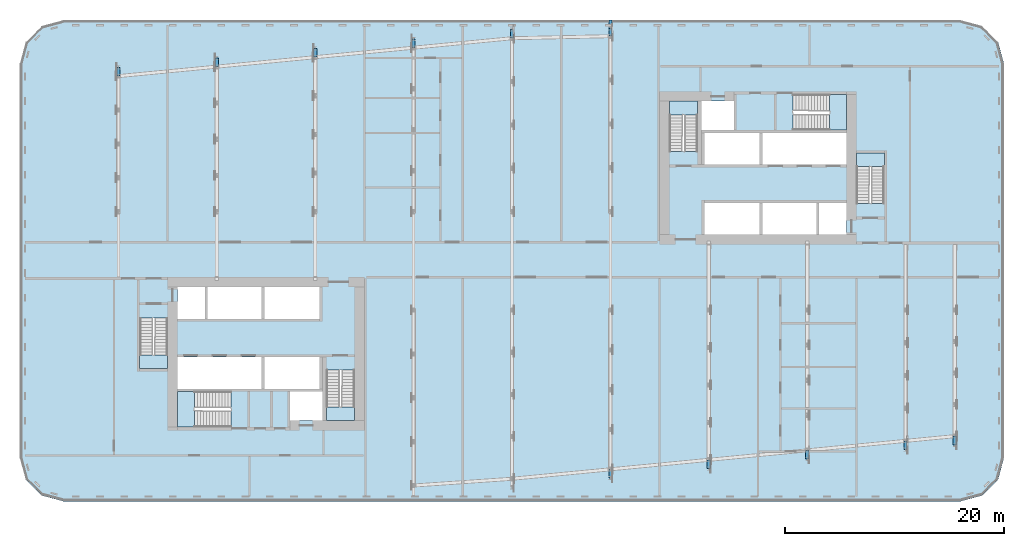
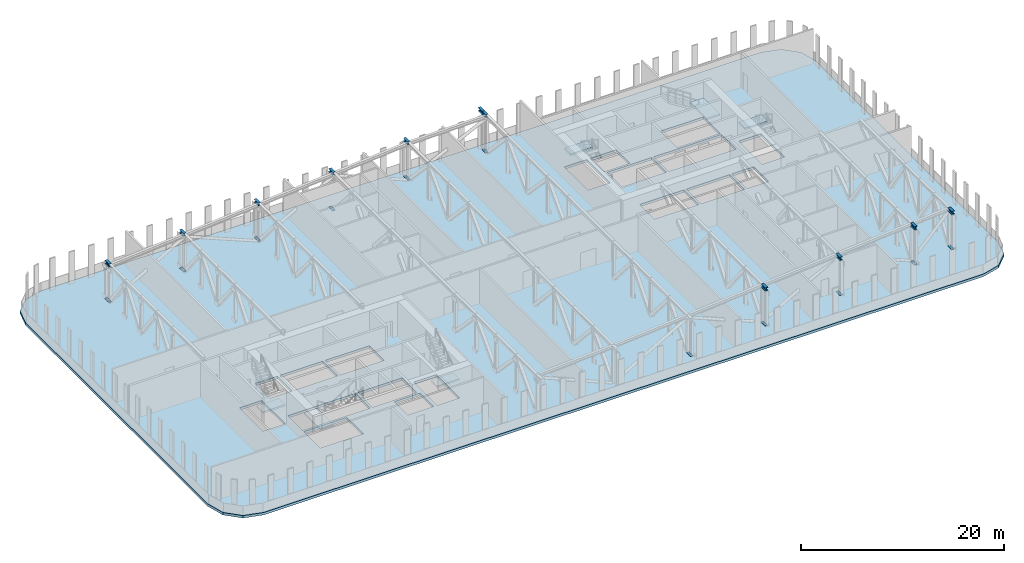
# One storey, part 5 of 22: 22 members, 7 slabs, 6 elements without a shape of their own.
"""IFC4 building model written with IfcOpenShell, lengths in metres."""

from ifc_helpers import new_model, si_unit, direction, frame, origin, origin_2d, place, context, subcontext, project, spatial, polyline, i_section, outline, extrude, material, layer, layer_set, material_profile, profile_set, type_object, element, aggregate, save


model = new_model("IFC4")

# Units and contexts
model_context = context("Model", 3, precision=1e-05, world=origin(), true_north=direction((0.0, 1.0)))
body_context = subcontext(model_context, "Body", "Model", "MODEL_VIEW")
ifc_project = project(units=[si_unit("LENGTHUNIT", "METRE"), si_unit("AREAUNIT", "SQUARE_METRE"), si_unit("VOLUMEUNIT", "CUBIC_METRE"), si_unit("PLANEANGLEUNIT", "RADIAN"), si_unit("MASSUNIT", "GRAM", prefix="KILO")], contexts=[model_context])

# Site, building, storey
site_placement = place(None, origin())
site = spatial("IfcSite", under=ifc_project, at=site_placement, CompositionType="ELEMENT")
building_placement = place(site_placement, origin())
building = spatial("IfcBuilding", under=site, at=building_placement, Name="Kajstack Hotel Tower", CompositionType="ELEMENT")
storey_placement = place(building_placement, frame((0.0, 0.0, 99.60009765625)))
storey = spatial("IfcBuildingStorey", under=building, at=storey_placement, Name="L21", CompositionType="ELEMENT", Elevation=99.60009765625)

# Members
ifc_material_1 = material(Name="Steel S355J2", Category="steel")
ifc_material_profile_1 = material_profile(ifc_material_1, i_section(OverallWidth=0.300048828125, OverallDepth=0.300048828125, WebThickness=0.010986328125, FlangeThickness=0.01904296875, FilletRadius=0.027099609375, at=origin_2d()), Name="HEB 300")
ifc_profile_set_1 = profile_set([ifc_material_profile_1], Name="Steel S355J2")
member_type_1 = type_object("IfcMemberType", Name="Belt truss bottom chord BC2 HEB 300", PredefinedType="CHORD", material=ifc_profile_set_1)
for number, where, z_axis, x_axis, name in (
    (1, (-36.0, 16.895751953125, -0.150146484375), (0.0, 1.0, 0.0), (-1.0, 0.0, 0.0), "S-belt-truss-L21--36p0-1-bc12"),
    (2, (-27.0, 17.762451171875, -0.150146484375), (0.0, 1.0, 0.0), (-1.0, 0.0, 0.0), "S-outrigger-truss-L21--27p0-1-bc12"),
    (3, (-18.0, 18.62890625, -0.150146484375), (0.0, 1.0, 0.0), (-1.0, 0.0, 0.0), "S-outrigger-truss-L21--18p0-1-bc12"),
    (4, (-9.0, 19.49560546875, -0.150146484375), (0.0, 1.0, 0.0), (-1.0, 0.0, 0.0), "S-belt-truss-L21--9p0-1-bc21"),
):
    element("IfcMember", number, at=place(storey_placement, frame(where, z_axis=z_axis, x_axis=x_axis)), inside=storey, type_object=member_type_1, Name=name, PredefinedType="CHORD", context=body_context, shape_type="SweptSolid", body=[
        extrude(i_section(OverallWidth=0.300048828125, OverallDepth=0.300048828125, WebThickness=0.010986328125, FlangeThickness=0.01904296875, FilletRadius=0.027099609375, at=origin_2d()), origin(), (0.0, 0.0, 1.0), 0.800048828125),
    ])
member_1_placement = place(storey_placement, frame((0.0, 20.3623046875, -0.150146484375), z_axis=(0.0, 1.0, 0.0), x_axis=(-1.0, 0.0, 0.0)))
element("IfcMember", 5, at=member_1_placement, inside=storey, type_object=member_type_1, Name="S-belt-truss-L21-+0p0-1-bc22", PredefinedType="CHORD", context=body_context, shape_type="SweptSolid", body=[
    extrude(i_section(OverallWidth=0.300048828125, OverallDepth=0.300048828125, WebThickness=0.010986328125, FlangeThickness=0.01904296875, FilletRadius=0.027099609375, at=origin_2d()), origin(), (0.0, 0.0, 1.0), 0.7998046875),
])
member_2_placement = place(storey_placement, frame((9.0, -19.865966796875, -0.150146484375), z_axis=(0.0, 1.0, 0.0), x_axis=(-1.0, 0.0, 0.0)))
element("IfcMember", 6, at=member_2_placement, inside=storey, type_object=member_type_1, Name="S-belt-truss-L21-+9p0-1-bc13", PredefinedType="CHORD", context=body_context, shape_type="SweptSolid", body=[
    extrude(i_section(OverallWidth=0.300048828125, OverallDepth=0.300048828125, WebThickness=0.010986328125, FlangeThickness=0.01904296875, FilletRadius=0.027099609375, at=origin_2d()), origin(), (0.0, 0.0, 1.0), 0.800048828125),
])
member_3_placement = place(storey_placement, frame((9.0, 20.550048828125, -0.150146484375), z_axis=(0.0, 1.0, 0.0), x_axis=(-1.0, 0.0, 0.0)))
element("IfcMember", 7, at=member_3_placement, inside=storey, type_object=member_type_1, Name="S-belt-truss-L21-+9p0-1-bc23", PredefinedType="CHORD", context=body_context, shape_type="SweptSolid", body=[
    extrude(i_section(OverallWidth=0.300048828125, OverallDepth=0.300048828125, WebThickness=0.010986328125, FlangeThickness=0.01904296875, FilletRadius=0.027099609375, at=origin_2d()), origin(), (0.0, 0.0, 1.0), 0.699951171875),
])
for number, where, z_axis, x_axis, name in (
    (8, (18.0, -18.999267578125, -0.150146484375), (0.0, 1.0, 0.0), (-1.0, 0.0, 0.0), "S-outrigger-truss-L21-+18p0-1-bc7"),
    (9, (27.0, -18.1328125, -0.150146484375), (0.0, 1.0, 0.0), (-1.0, 0.0, 0.0), "S-outrigger-truss-L21-+27p0-1-bc7"),
    (10, (36.0, -17.26611328125, -0.150146484375), (0.0, 1.0, 0.0), (-1.0, 0.0, 0.0), "S-belt-truss-L21-+36p0-1-bc7"),
    (11, (40.5, -16.832763671875, -0.150146484375), (0.0, 1.0, 0.0), (-1.0, 0.0, 0.0), "S-belt-truss-L21-+40p5-1-bc7"),
):
    element("IfcMember", number, at=place(storey_placement, frame(where, z_axis=z_axis, x_axis=x_axis)), inside=storey, type_object=member_type_1, Name=name, PredefinedType="CHORD", context=body_context, shape_type="SweptSolid", body=[
        extrude(i_section(OverallWidth=0.300048828125, OverallDepth=0.300048828125, WebThickness=0.010986328125, FlangeThickness=0.01904296875, FilletRadius=0.027099609375, at=origin_2d()), origin(), (0.0, 0.0, 1.0), 0.800048828125),
    ])
ifc_material_profile_2 = material_profile(ifc_material_1, i_section(OverallWidth=0.300048828125, OverallDepth=0.389892578125, WebThickness=0.010986328125, FlangeThickness=0.01904296875, FilletRadius=0.027099609375, at=origin_2d()), Name="HEA 400")
ifc_profile_set_2 = profile_set([ifc_material_profile_2], Name="Steel S355J2")
member_type_2 = type_object("IfcMemberType", Name="Belt truss top chord TC2 HEA 400", PredefinedType="CHORD", material=ifc_profile_set_2)
for number, where, z_axis, x_axis, name in (
    (12, (-36.0, 16.895751953125, 4.40478515625), (0.0, 1.0, 0.0), (-1.0, 0.0, 0.0), "S-belt-truss-L21--36p0-1-tc6"),
    (13, (-27.0, 17.762451171875, 4.40478515625), (0.0, 1.0, 0.0), (-1.0, 0.0, 0.0), "S-outrigger-truss-L21--27p0-1-tc6"),
    (14, (-18.0, 18.62890625, 4.40478515625), (0.0, 1.0, 0.0), (-1.0, 0.0, 0.0), "S-outrigger-truss-L21--18p0-1-tc6"),
    (15, (-9.0, 19.49560546875, 4.40478515625), (0.0, 1.0, 0.0), (-1.0, 0.0, 0.0), "S-belt-truss-L21--9p0-1-tc11"),
):
    element("IfcMember", number, at=place(storey_placement, frame(where, z_axis=z_axis, x_axis=x_axis)), inside=storey, type_object=member_type_2, Name=name, PredefinedType="CHORD", context=body_context, shape_type="SweptSolid", body=[
        extrude(i_section(OverallWidth=0.300048828125, OverallDepth=0.389892578125, WebThickness=0.010986328125, FlangeThickness=0.01904296875, FilletRadius=0.027099609375, at=origin_2d()), origin(), (0.0, 0.0, 1.0), 0.800048828125),
    ])
member_4_placement = place(storey_placement, frame((0.0, 20.3623046875, 4.40478515625), z_axis=(0.0, 1.0, 0.0), x_axis=(-1.0, 0.0, 0.0)))
element("IfcMember", 16, at=member_4_placement, inside=storey, type_object=member_type_2, Name="S-belt-truss-L21-+0p0-1-tc11", PredefinedType="CHORD", context=body_context, shape_type="SweptSolid", body=[
    extrude(i_section(OverallWidth=0.300048828125, OverallDepth=0.389892578125, WebThickness=0.010986328125, FlangeThickness=0.01904296875, FilletRadius=0.027099609375, at=origin_2d()), origin(), (0.0, 0.0, 1.0), 0.7998046875),
])
member_5_placement = place(storey_placement, frame((9.0, 20.550048828125, 4.40478515625), z_axis=(0.0, 1.0, 0.0), x_axis=(-1.0, 0.0, 0.0)))
element("IfcMember", 17, at=member_5_placement, inside=storey, type_object=member_type_2, Name="S-belt-truss-L21-+9p0-1-tc11", PredefinedType="CHORD", context=body_context, shape_type="SweptSolid", body=[
    extrude(i_section(OverallWidth=0.300048828125, OverallDepth=0.389892578125, WebThickness=0.010986328125, FlangeThickness=0.01904296875, FilletRadius=0.027099609375, at=origin_2d()), origin(), (0.0, 0.0, 1.0), 0.699951171875),
])
member_6_placement = place(storey_placement, frame((9.0, 21.25, 4.40478515625), z_axis=(0.0, 1.0, 0.0), x_axis=(-1.0, 0.0, 0.0)))
element("IfcMember", 18, at=member_6_placement, inside=storey, type_object=member_type_2, Name="S-belt-truss-L21-+9p0-1-tc12", PredefinedType="CHORD", context=body_context, shape_type="SweptSolid", body=[
    extrude(i_section(OverallWidth=0.300048828125, OverallDepth=0.389892578125, WebThickness=0.010986328125, FlangeThickness=0.01904296875, FilletRadius=0.027099609375, at=origin_2d()), origin(), (0.0, 0.0, 1.0), 0.77880859375),
])
for number, where, z_axis, x_axis, name in (
    (19, (18.0, -18.999267578125, 4.40478515625), (0.0, 1.0, 0.0), (-1.0, 0.0, 0.0), "S-outrigger-truss-L21-+18p0-1-tc1"),
    (20, (27.0, -18.1328125, 4.40478515625), (0.0, 1.0, 0.0), (-1.0, 0.0, 0.0), "S-outrigger-truss-L21-+27p0-1-tc1"),
    (21, (36.0, -17.26611328125, 4.40478515625), (0.0, 1.0, 0.0), (-1.0, 0.0, 0.0), "S-belt-truss-L21-+36p0-1-tc1"),
    (22, (40.5, -16.832763671875, 4.40478515625), (0.0, 1.0, 0.0), (-1.0, 0.0, 0.0), "S-belt-truss-L21-+40p5-1-tc1"),
):
    element("IfcMember", number, at=place(storey_placement, frame(where, z_axis=z_axis, x_axis=x_axis)), inside=storey, type_object=member_type_2, Name=name, PredefinedType="CHORD", context=body_context, shape_type="SweptSolid", body=[
        extrude(i_section(OverallWidth=0.300048828125, OverallDepth=0.389892578125, WebThickness=0.010986328125, FlangeThickness=0.01904296875, FilletRadius=0.027099609375, at=origin_2d()), origin(), (0.0, 0.0, 1.0), 0.800048828125),
    ])

# Slab
ifc_material_2 = material(Name="Concrete C50/60", Category="concrete")
ifc_layer_1 = layer(ifc_material_2, 0.300048828125)
ifc_layer_set_1 = layer_set([ifc_layer_1], Name="RC slab 300 C50/60 band")
slab_type_1 = type_object("IfcSlabType", Name="RC slab 300 C50/60 band", PredefinedType="FLOOR", material=ifc_layer_set_1)
slab_1_placement = place(storey_placement, frame((0.0, 0.0, -0.300048828125)))
element("IfcSlab", 23, at=slab_1_placement, inside=storey, type_object=slab_type_1, Name="S-slab-L21", PredefinedType="FLOOR", context=body_context, shape_type="SweptSolid", body=[
    extrude(outline(polyline([(-45.0, -18.0), (-44.464111328125, -20.0), (-43.0, -21.464111328125), (-41.0, -22.0), (41.0, -22.0), (43.0, -21.464111328125), (44.464111328125, -20.0), (45.0, -18.0), (45.0, 18.0), (44.464111328125, 20.0), (43.0, 21.464111328125), (41.0, 22.0), (-41.0, 22.0), (-43.0, 21.464111328125), (-44.464111328125, 20.0), (-45.0, 18.0), (-45.0, -18.0)]), holes=[polyline([(-30.60009765625, -11.699951171875), (-30.60009765625, -8.800048828125), (-22.89990234375, -8.800048828125), (-22.89990234375, -11.699951171875), (-30.60009765625, -11.699951171875)]), polyline([(-22.64990234375, -11.699951171875), (-22.64990234375, -8.800048828125), (-17.60009765625, -8.800048828125), (-17.60009765625, -11.699951171875), (-22.64990234375, -11.699951171875)]), polyline([(-27.85009765625, -5.300048828125), (-27.85009765625, -2.39990234375), (-22.89990234375, -2.39990234375), (-22.89990234375, -5.300048828125), (-27.85009765625, -5.300048828125)]), polyline([(-22.64990234375, -5.300048828125), (-22.64990234375, -2.39990234375), (-17.60009765625, -2.39990234375), (-17.60009765625, -5.300048828125), (-22.64990234375, -5.300048828125)]), polyline([(-20.300048828125, -14.60009765625), (-17.35009765625, -14.60009765625), (-17.35009765625, -11.949951171875), (-20.300048828125, -11.949951171875), (-20.300048828125, -14.60009765625)]), polyline([(-30.60009765625, -5.300048828125), (-28.10009765625, -5.300048828125), (-28.10009765625, -2.39990234375), (-30.60009765625, -2.39990234375), (-30.60009765625, -5.300048828125)]), polyline([(22.89990234375, 8.800048828125), (22.89990234375, 11.699951171875), (30.60009765625, 11.699951171875), (30.60009765625, 8.800048828125), (22.89990234375, 8.800048828125)]), polyline([(17.60009765625, 8.800048828125), (17.60009765625, 11.699951171875), (22.64990234375, 11.699951171875), (22.64990234375, 8.800048828125), (17.60009765625, 8.800048828125)]), polyline([(22.89990234375, 2.39990234375), (22.89990234375, 5.300048828125), (27.85009765625, 5.300048828125), (27.85009765625, 2.39990234375), (22.89990234375, 2.39990234375)]), polyline([(17.60009765625, 2.39990234375), (17.60009765625, 5.300048828125), (22.64990234375, 5.300048828125), (22.64990234375, 2.39990234375), (17.60009765625, 2.39990234375)]), polyline([(20.300048828125, 14.60009765625), (17.35009765625, 14.60009765625), (17.35009765625, 11.949951171875), (20.300048828125, 11.949951171875), (20.300048828125, 14.60009765625)]), polyline([(30.60009765625, 5.300048828125), (28.10009765625, 5.300048828125), (28.10009765625, 2.39990234375), (30.60009765625, 2.39990234375), (30.60009765625, 5.300048828125)]), polyline([(-34.050048828125, -9.85009765625), (-31.5, -9.85009765625), (-31.5, -5.25), (-34.050048828125, -5.25), (-34.050048828125, -9.85009765625)]), polyline([(-16.949951171875, -14.60009765625), (-14.39990234375, -14.60009765625), (-14.39990234375, -10.0), (-16.949951171875, -10.0), (-16.949951171875, -14.60009765625)]), polyline([(-30.60009765625, -15.199951171875), (-25.699951171875, -15.199951171875), (-25.699951171875, -11.949951171875), (-30.60009765625, -11.949951171875), (-30.60009765625, -15.199951171875)]), polyline([(34.050048828125, 9.85009765625), (31.5, 9.85009765625), (31.5, 5.25), (34.050048828125, 5.25), (34.050048828125, 9.85009765625)]), polyline([(16.949951171875, 14.60009765625), (14.39990234375, 14.60009765625), (14.39990234375, 10.0), (16.949951171875, 10.0), (16.949951171875, 14.60009765625)]), polyline([(30.60009765625, 15.199951171875), (25.699951171875, 15.199951171875), (25.699951171875, 11.949951171875), (30.60009765625, 11.949951171875), (30.60009765625, 15.199951171875)])]), origin(), (0.0, 0.0, 1.0), 0.300048828125),
])

# Stair, slab
ifc_material_3 = material(Name="Concrete C40/50", Category="concrete")
stair_type_1 = type_object("IfcStairType", Name="Exit stair 1200", PredefinedType="HALF_TURN_STAIR", material=ifc_material_3)
stair_1_placement = place(storey_placement, origin())
stair_1 = element("IfcStair", 24, at=stair_1_placement, inside=storey, type_object=stair_type_1, Name="L21 stair W1", PredefinedType="HALF_TURN_STAIR")
ifc_layer_2 = layer(ifc_material_3, 0.199951171875)
ifc_layer_set_2 = layer_set([ifc_layer_2], Name="Stair landing 200")
slab_type_2 = type_object("IfcSlabType", Name="Stair landing 200", PredefinedType="LANDING", material=ifc_layer_set_2)
slab_2_placement = place(storey_placement, frame((0.0, 0.0, 2.099853515625)))
slab_2 = element("IfcSlab", 25, at=slab_2_placement, type_object=slab_type_2, Name="W1 landing 1", PredefinedType="LANDING", context=body_context, shape_type="SweptSolid", body=[
    extrude(outline(polyline([(-34.050048828125, -8.610107421875), (-34.050048828125, -9.85009765625), (-31.5, -9.85009765625), (-31.5, -8.610107421875), (-34.050048828125, -8.610107421875)])), origin(), (0.0, 0.0, 1.0), 0.199951171875),
])
aggregate(stair_1, [slab_2])

stair_2_placement = place(storey_placement, origin())
stair_2 = element("IfcStair", 26, at=stair_2_placement, inside=storey, type_object=stair_type_1, Name="L21 stair W2", PredefinedType="HALF_TURN_STAIR")
slab_3_placement = place(storey_placement, frame((0.0, 0.0, 2.099853515625)))
slab_3 = element("IfcSlab", 27, at=slab_3_placement, type_object=slab_type_2, Name="W2 landing 1", PredefinedType="LANDING", context=body_context, shape_type="SweptSolid", body=[
    extrude(outline(polyline([(-16.949951171875, -13.360107421875), (-16.949951171875, -14.60009765625), (-14.39990234375, -14.60009765625), (-14.39990234375, -13.360107421875), (-16.949951171875, -13.360107421875)])), origin(), (0.0, 0.0, 1.0), 0.199951171875),
])
aggregate(stair_2, [slab_3])

stair_type_2 = type_object("IfcStairType", Name="Exit stair 1500", PredefinedType="HALF_TURN_STAIR", material=ifc_material_3)
stair_3_placement = place(storey_placement, origin())
stair_3 = element("IfcStair", 28, at=stair_3_placement, inside=storey, type_object=stair_type_2, Name="L21 stair W3", PredefinedType="HALF_TURN_STAIR")
slab_4_placement = place(storey_placement, frame((0.0, 0.0, 2.099853515625)))
slab_4 = element("IfcSlab", 29, at=slab_4_placement, type_object=slab_type_2, Name="W3 landing 1", PredefinedType="LANDING", context=body_context, shape_type="SweptSolid", body=[
    extrude(outline(polyline([(-29.06005859375, -11.949951171875), (-30.60009765625, -11.949951171875), (-30.60009765625, -15.199951171875), (-29.06005859375, -15.199951171875), (-29.06005859375, -11.949951171875)])), origin(), (0.0, 0.0, 1.0), 0.199951171875),
])
aggregate(stair_3, [slab_4])

stair_4_placement = place(storey_placement, origin())
stair_4 = element("IfcStair", 30, at=stair_4_placement, inside=storey, type_object=stair_type_1, Name="L21 stair E1", PredefinedType="HALF_TURN_STAIR")
slab_5_placement = place(storey_placement, frame((0.0, 0.0, 2.099853515625)))
slab_5 = element("IfcSlab", 31, at=slab_5_placement, type_object=slab_type_2, Name="E1 landing 1", PredefinedType="LANDING", context=body_context, shape_type="SweptSolid", body=[
    extrude(outline(polyline([(34.050048828125, 8.610107421875), (34.050048828125, 9.85009765625), (31.5, 9.85009765625), (31.5, 8.610107421875), (34.050048828125, 8.610107421875)])), origin(), (0.0, 0.0, 1.0), 0.199951171875),
])
aggregate(stair_4, [slab_5])

stair_5_placement = place(storey_placement, origin())
stair_5 = element("IfcStair", 32, at=stair_5_placement, inside=storey, type_object=stair_type_1, Name="L21 stair E2", PredefinedType="HALF_TURN_STAIR")
slab_6_placement = place(storey_placement, frame((0.0, 0.0, 2.099853515625)))
slab_6 = element("IfcSlab", 33, at=slab_6_placement, type_object=slab_type_2, Name="E2 landing 1", PredefinedType="LANDING", context=body_context, shape_type="SweptSolid", body=[
    extrude(outline(polyline([(16.949951171875, 13.360107421875), (16.949951171875, 14.60009765625), (14.39990234375, 14.60009765625), (14.39990234375, 13.360107421875), (16.949951171875, 13.360107421875)])), origin(), (0.0, 0.0, 1.0), 0.199951171875),
])
aggregate(stair_5, [slab_6])

stair_6_placement = place(storey_placement, origin())
stair_6 = element("IfcStair", 34, at=stair_6_placement, inside=storey, type_object=stair_type_2, Name="L21 stair E3", PredefinedType="HALF_TURN_STAIR")
slab_7_placement = place(storey_placement, frame((0.0, 0.0, 2.099853515625)))
slab_7 = element("IfcSlab", 35, at=slab_7_placement, type_object=slab_type_2, Name="E3 landing 1", PredefinedType="LANDING", context=body_context, shape_type="SweptSolid", body=[
    extrude(outline(polyline([(29.06005859375, 11.949951171875), (30.60009765625, 11.949951171875), (30.60009765625, 15.199951171875), (29.06005859375, 15.199951171875), (29.06005859375, 11.949951171875)])), origin(), (0.0, 0.0, 1.0), 0.199951171875),
])
aggregate(stair_6, [slab_7])

save(model, "model.ifc")
